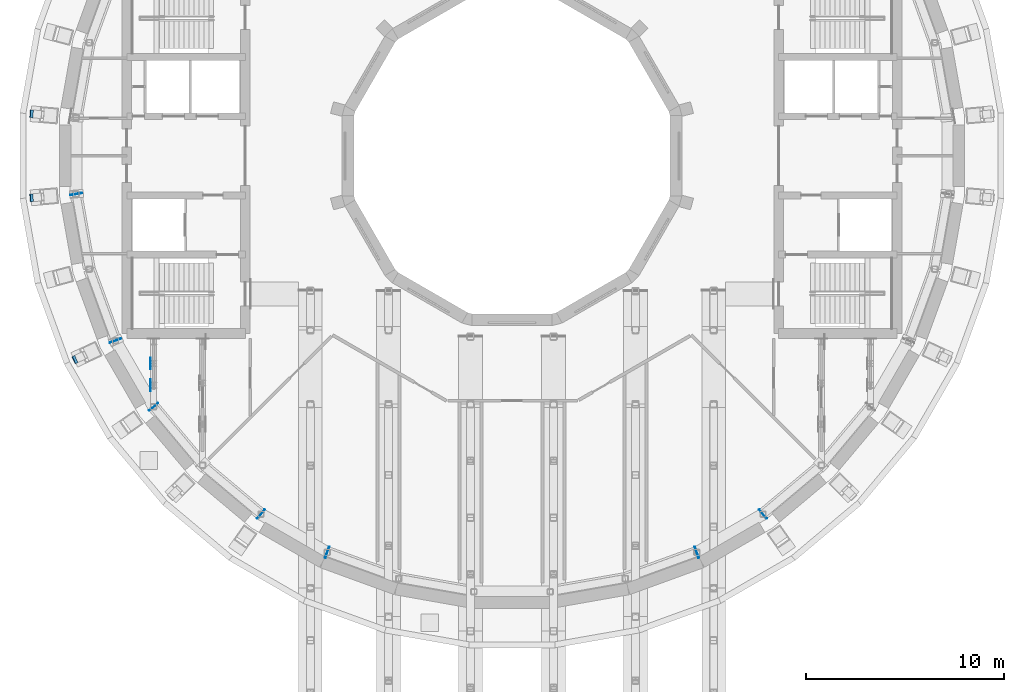
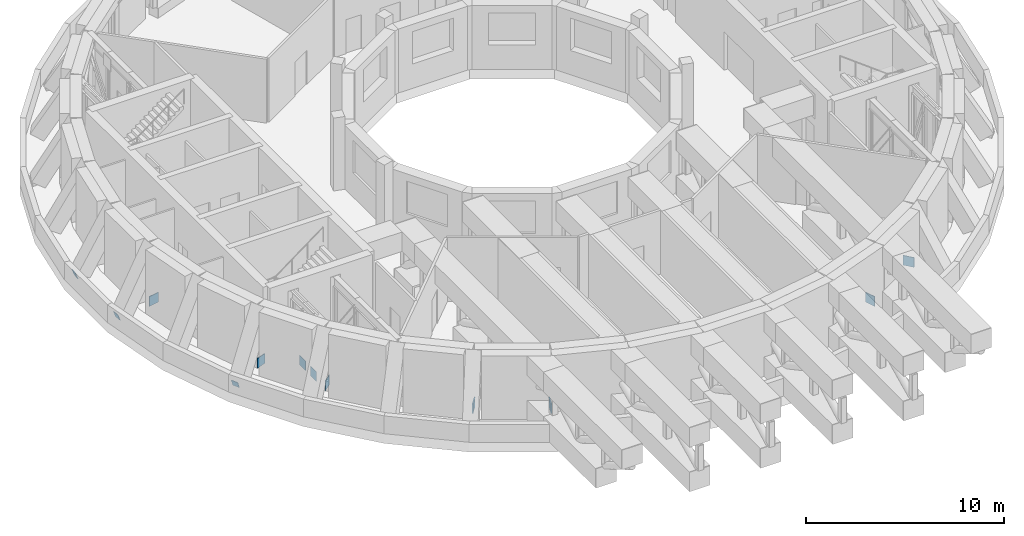
# One storey, part 17 of 20: 12 discrete accessories.
"""IFC4 building model written with IfcOpenShell, lengths in metres."""

import ifcopenshell
import ifcopenshell.guid

model = None  # the IFC model being written
_history = None  # IfcOwnerHistory: only IFC2X3 demands one
_inside = {}  # id of a spatial element -> (the spatial element, [elements in it])
_under = {}  # id of a project, library or spatial element -> (it, [spatial elements below it])
_declared = {}  # id of a project -> (the project, [libraries it declares])
_typed = {}  # id of a type object -> (the type object, [elements of that type])
_made_of = {}  # id of a material, layer set ... -> (it, [elements and type objects made of it])


def new_model(schema):
    """Start an empty IFC model of exactly this schema.

    Asked for "IFC4X3", IfcOpenShell would pick the latest addendum, in which some entities
    have other attributes; the version numbers below select the first issue.
    IFC2X3 requires an IfcOwnerHistory on every rooted entity: one is made here for all.
    """
    global model, _history
    if schema == "IFC4X3":
        model = ifcopenshell.file(schema_version=(4, 3, 0, 0))
    else:
        model = ifcopenshell.file(schema=schema)
    _inside.clear()
    _under.clear()
    _declared.clear()
    _typed.clear()
    _made_of.clear()
    _history = None
    if model.schema == "IFC2X3":
        org = make("IfcOrganization", Name="unknown")
        user = make(
            "IfcPersonAndOrganization",
            ThePerson=make("IfcPerson", FamilyName="unknown"),
            TheOrganization=org,
        )
        app = make(
            "IfcApplication",
            ApplicationDeveloper=org,
            Version="unknown",
            ApplicationFullName="unknown",
            ApplicationIdentifier="unknown",
        )
        _history = make(
            "IfcOwnerHistory",
            OwningUser=user,
            OwningApplication=app,
            ChangeAction="ADDED",
            CreationDate=0,
        )
    return model


def make(cls, **values):
    """One entity of the class cls with the attributes given. An attribute that is None is left unset."""
    return model.create_entity(
        cls, **{name: value for name, value in values.items() if value is not None}
    )


def rooted(cls, **values):
    """An entity with a GlobalId (a new one), such as an element, a storey or a relation."""
    return make(cls, GlobalId=ifcopenshell.guid.new(), OwnerHistory=_history, **values)


def si_unit(unit_type, name, prefix=None):
    """IfcSIUnit, for example si_unit("LENGTHUNIT", "METRE", prefix="MILLI")."""
    return make("IfcSIUnit", UnitType=unit_type, Prefix=prefix, Name=name)


def assignment(units):
    """IfcUnitAssignment: the units of a project."""
    return None if units is None else make("IfcUnitAssignment", Units=units)


def point(xyz):
    """IfcCartesianPoint."""
    return None if xyz is None else make("IfcCartesianPoint", Coordinates=xyz)


def direction(xyz):
    """IfcDirection."""
    return None if xyz is None else make("IfcDirection", DirectionRatios=xyz)


def frame(location, z_axis=None, x_axis=None):
    """IfcAxis2Placement3D, a coordinate frame: its origin and axes. An axis left out is left unset."""
    return make(
        "IfcAxis2Placement3D",
        Location=point(location),
        Axis=direction(z_axis),
        RefDirection=direction(x_axis),
    )


def frame_2d(location, x_axis=None):
    """IfcAxis2Placement2D, a coordinate frame in the plane: its origin and x axis."""
    return make(
        "IfcAxis2Placement2D", Location=point(location), RefDirection=direction(x_axis)
    )


def origin():
    """The frame at (0, 0, 0) with its axes left unset."""
    return frame((0.0, 0.0, 0.0))


def origin_2d():
    """The frame at (0, 0) in the plane with its x axis left unset."""
    return frame_2d((0.0, 0.0))


def place(relative_to, where):
    """IfcLocalPlacement: puts the frame where relative to a parent placement (None: the world)."""
    return make(
        "IfcLocalPlacement", PlacementRelTo=relative_to, RelativePlacement=where
    )


def context(
    kind, dimensions, precision=None, world=None, true_north=None, identifier=None
):
    """IfcGeometricRepresentationContext, for example the 3D "Model" context."""
    return make(
        "IfcGeometricRepresentationContext",
        ContextIdentifier=identifier,
        ContextType=kind,
        CoordinateSpaceDimension=dimensions,
        Precision=precision,
        WorldCoordinateSystem=world,
        TrueNorth=true_north,
    )


def subcontext(parent, identifier, kind, view, scale=None):
    """IfcGeometricRepresentationSubContext, for example "Body" below "Model"."""
    return make(
        "IfcGeometricRepresentationSubContext",
        ContextIdentifier=identifier,
        ContextType=kind,
        ParentContext=parent,
        TargetScale=scale,
        TargetView=view,
    )


def project(units=None, contexts=None):
    """IfcProject with its units and contexts."""
    return rooted(
        "IfcProject",
        Name="project",
        RepresentationContexts=contexts,
        UnitsInContext=assignment(units),
    )


def spatial(cls, under=None, at=None, **own):
    """A site, building, storey or space (cls), placed at a placement, below another one or the project."""
    s = rooted(cls, ObjectPlacement=at, **own)
    if under is not None:
        _under.setdefault(under.id(), (under, []))[1].append(s)
    return s


def profile(cls, at=None, kind="AREA", **sizes):
    """A parametric profile (cls). Its sizes go by their IFC names, for example OverallWidth=200.0."""
    return make(cls, ProfileType=kind, Position=at, **sizes)


def rectangle(**sizes):
    """IfcRectangleProfileDef."""
    return profile("IfcRectangleProfileDef", **sizes)


def extrude(swept, where, along, depth):
    """IfcExtrudedAreaSolid: the profile swept, set in the frame where, extruded along a direction by depth."""
    return make(
        "IfcExtrudedAreaSolid",
        SweptArea=swept,
        Position=where,
        ExtrudedDirection=direction(along),
        Depth=depth,
    )


def shape(context_of_items, identifier, shape_type, items):
    """IfcShapeRepresentation: the items that make up one representation, for example the "Body"."""
    return make(
        "IfcShapeRepresentation",
        ContextOfItems=context_of_items,
        RepresentationIdentifier=identifier,
        RepresentationType=shape_type,
        Items=items,
    )


def material(Name=None, Category=None):
    """IfcMaterial."""
    return make("IfcMaterial", Name=Name, Category=Category)


def material_profile(
    of_material, cross_section, Name=None, Category=None, Priority=None
):
    """IfcMaterialProfile: a cross section and its material."""
    return make(
        "IfcMaterialProfile",
        Name=Name,
        Material=of_material,
        Profile=cross_section,
        Priority=Priority,
        Category=Category,
    )


def profile_set(profiles, Name=None, composite=None):
    """IfcMaterialProfileSet."""
    return make(
        "IfcMaterialProfileSet",
        Name=Name,
        MaterialProfiles=profiles,
        CompositeProfile=composite,
    )


def made_of(thing, what):
    """Note that an element or type object is made of a material, layer set ...; save() writes the relation."""
    if what is not None:
        _made_of.setdefault(what.id(), (what, []))[1].append(thing)
    return thing


def type_object(cls, material=None, **own):
    """A type object (cls), such as IfcWallType, which elements share."""
    return made_of(rooted(cls, **own), material)


def element(
    cls,
    number,
    at=None,
    inside=None,
    cuts=None,
    type_object=None,
    material=None,
    context=None,
    identifier="Body",
    shape_type=None,
    held_by="IfcProductDefinitionShape",
    body=None,
    shapes=None,
    **own,
):
    """One element of the class cls, such as IfcWall. Its Tag is "e" and its number.

    at: its placement. inside: the storey or other place that contains it. cuts: it is an
    opening in that element (IfcRelVoidsElement). A single representation is given by context,
    identifier, shape_type and body (its items); several are given by shapes. held_by: the class
    of the entity that holds the representations. save() writes the other relations.
    """
    e = rooted(cls, Tag="e%d" % number, ObjectPlacement=at, **own)
    if body is not None:
        shapes = [shape(context, identifier, shape_type, body)]
    if shapes is not None:
        e.Representation = make(held_by, Representations=shapes)
    if inside is not None:
        _inside.setdefault(inside.id(), (inside, []))[1].append(e)
    if cuts is not None:
        rooted(
            "IfcRelVoidsElement", RelatingBuildingElement=cuts, RelatedOpeningElement=e
        )
    if type_object is not None:
        _typed.setdefault(type_object.id(), (type_object, []))[1].append(e)
    return made_of(e, material)


def aggregate(whole, parts):
    """IfcRelAggregates: a whole, such as a stair, and the parts it consists of."""
    return rooted("IfcRelAggregates", RelatingObject=whole, RelatedObjects=parts)


def save(model, path):
    """Write the relations noted so far, then the file.

    IfcRelAggregates (storeys below a building ...), IfcRelContainedInSpatialStructure (elements
    in a storey), IfcRelDefinesByType, IfcRelAssociatesMaterial and IfcRelDeclares: one each for
    every whole, place, type object, material and project.
    """
    for whole, parts in _under.values():
        aggregate(whole, parts)
    for where, things in _inside.values():
        rooted(
            "IfcRelContainedInSpatialStructure",
            RelatedElements=things,
            RelatingStructure=where,
        )
    for kind, things in _typed.values():
        rooted("IfcRelDefinesByType", RelatedObjects=things, RelatingType=kind)
    for what, things in _made_of.values():
        rooted("IfcRelAssociatesMaterial", RelatedObjects=things, RelatingMaterial=what)
    for by, libraries in _declared.values():
        rooted("IfcRelDeclares", RelatingContext=by, RelatedDefinitions=libraries)
    model.write(path)


model = new_model("IFC4")

# Units and contexts
model_context = context("Model", 3, precision=1e-05, world=origin(), true_north=direction((0.0, 1.0)))
body_context = subcontext(model_context, "Body", "Model", "MODEL_VIEW")
ifc_project = project(units=[si_unit("LENGTHUNIT", "METRE"), si_unit("AREAUNIT", "SQUARE_METRE"), si_unit("VOLUMEUNIT", "CUBIC_METRE"), si_unit("PLANEANGLEUNIT", "RADIAN"), si_unit("MASSUNIT", "GRAM", prefix="KILO")], contexts=[model_context])

# Site, building, storey
site_placement = place(None, origin())
site = spatial("IfcSite", under=ifc_project, at=site_placement, CompositionType="ELEMENT")
building_placement = place(site_placement, origin())
building = spatial("IfcBuilding", under=site, at=building_placement, Name="Saqina Gate Tower", CompositionType="ELEMENT")
storey_placement = place(building_placement, frame((0.0, 0.0, 220.199951171875)))
storey = spatial("IfcBuildingStorey", under=building, at=storey_placement, Name="L63", CompositionType="ELEMENT", Elevation=220.199951171875)

# Discrete accessories
ifc_material_1 = material(Name="Steel S460", Category="steel")
ifc_material_profile_1 = material_profile(ifc_material_1, rectangle(XDim=0.39990234375, YDim=0.39990234375, at=origin_2d()), Name="STR-END PLATE-BOX 400x400x30")
ifc_profile_set_1 = profile_set([ifc_material_profile_1], Name="Steel S460")
discrete_accessory_type_1 = type_object("IfcDiscreteAccessoryType", Name="STR-END PLATE-BOX 400x400x30", PredefinedType="USERDEFINED", material=ifc_profile_set_1)
for number, where, z_axis, x_axis, name in (
    (1, (-24.30712890625, 2.126708984375, 0.1884765625), (-0.938783330173, 0.081633333059, -0.33469666554), (0.086629610545, 0.996240588702, 1.6447e-08), "END PLATE NODE TIE BEAM L63 18 FOOT START"),
    (2, (-24.30712890625, -2.126708984375, 0.1884765625), (-0.938783330173, -0.081633333059, -0.33469666554), (-0.086629610545, 0.996240588702, -1.6447e-08), "END PLATE NODE TIE BEAM L63 19 FOOT START"),
    (3, (-22.114013671875, -10.311767578125, 0.1884765625), (-0.852058384385, -0.401450584951, -0.335907632306), (-0.426216137466, 0.904621359555, 7.72641e-07), "END PLATE NODE TIE BEAM L63 21 FOOT START"),
):
    element("IfcDiscreteAccessory", number, at=place(storey_placement, frame(where, z_axis=z_axis, x_axis=x_axis)), inside=storey, type_object=discrete_accessory_type_1, Name=name, ObjectType="END PLATE", PredefinedType="USERDEFINED", context=body_context, shape_type="SweptSolid", body=[
        extrude(rectangle(XDim=0.39990234375, YDim=0.39990234375, at=origin_2d()), origin(), (0.0, 0.0, 1.0), 0.02978515625),
    ])
ifc_material_2 = material(Name="Steel S460", Category="steel")
ifc_material_profile_2 = material_profile(ifc_material_2, rectangle(XDim=0.60009765625, YDim=0.60009765625, at=origin_2d()), Name="STR-END PLATE-BOX 600x600x40")
ifc_profile_set_2 = profile_set([ifc_material_profile_2], Name="Steel S460")
discrete_accessory_type_2 = type_object("IfcDiscreteAccessoryType", Name="STR-END PLATE-BOX 600x600x40", PredefinedType="USERDEFINED", material=ifc_profile_set_2)
for number, where, z_axis, x_axis, name in (
    (4, (-22.06103515625, -1.956298828125, 0.300048828125), (-0.177271416395, 0.984162001364, 0.0), (0.984162001364, 0.177271416395, 0.0), "END PLATE BELT TRUSS L63 CHORD 043 START"),
    (5, (-20.083740234375, -9.33642578125, 0.300048828125), (0.341743063087, -0.939793423488, 0.0), (0.939793423488, 0.341743063087, 0.0), "END PLATE BELT TRUSS L63 CHORD 046 END"),
    (6, (-18.12744140625, -12.724853515625, 0.300048828125), (-0.640184399664, 0.768221279597, 0.0), (0.768221279597, 0.640184399664, 0.0), "END PLATE BELT TRUSS L63 CHORD 050 START"),
    (7, (-12.724853515625, -18.12744140625, 0.300048828125), (0.768221279597, -0.640184399664, 0.0), (0.640184399664, 0.768221279597, 0.0), "END PLATE BELT TRUSS L63 CHORD 053 END"),
    (8, (-9.33642578125, -20.083740234375, 0.300048828125), (-0.939793423488, 0.341743063087, 0.0), (0.341743063087, 0.939793423488, 0.0), "END PLATE BELT TRUSS L63 CHORD 057 START"),
    (9, (9.33642578125, -20.083740234375, 0.300048828125), (0.939793423488, 0.341743063087, 0.0), (-0.341743063087, 0.939793423488, 0.0), "END PLATE BELT TRUSS L63 CHORD 067 END"),
    (10, (12.724853515625, -18.12744140625, 0.300048828125), (-0.768221279597, -0.640184399664, 0.0), (-0.640184399664, 0.768221279597, 0.0), "END PLATE BELT TRUSS L63 CHORD 071 START"),
):
    element("IfcDiscreteAccessory", number, at=place(storey_placement, frame(where, z_axis=z_axis, x_axis=x_axis)), inside=storey, type_object=discrete_accessory_type_2, Name=name, ObjectType="END PLATE", PredefinedType="USERDEFINED", context=body_context, shape_type="SweptSolid", body=[
        extrude(rectangle(XDim=0.60009765625, YDim=0.60009765625, at=origin_2d()), origin(), (0.0, 0.0, 1.0), 0.0400390625),
    ])
ifc_material_3 = material(Name="Steel S460", Category="steel")
ifc_material_profile_3 = material_profile(ifc_material_3, rectangle(XDim=0.60009765625, YDim=0.60009765625, at=origin_2d()), Name="STR-END PLATE-GUSSET 600x600x20")
ifc_profile_set_3 = profile_set([ifc_material_profile_3], Name="Steel S460")
discrete_accessory_type_3 = type_object("IfcDiscreteAccessoryType", Name="STR-END PLATE-GUSSET 600x600x20", PredefinedType="USERDEFINED", material=ifc_profile_set_3)
for number, where, z_axis, x_axis, name in (
    (11, (-18.294189453125, -10.513671875, 0.25), (-1.0, 0.0, 0.0), (0.0, -1.0, 0.0), "GUSSET PLATE OUTRIGGER TRUSS L63 CHORD 150"),
    (12, (-18.294189453125, -11.609130859375, 0.25), (-1.0, 0.0, 0.0), (0.0, -1.0, 0.0), "GUSSET PLATE OUTRIGGER TRUSS L63 CHORD 154"),
):
    element("IfcDiscreteAccessory", number, at=place(storey_placement, frame(where, z_axis=z_axis, x_axis=x_axis)), inside=storey, type_object=discrete_accessory_type_3, Name=name, ObjectType="GUSSET PLATE", PredefinedType="USERDEFINED", context=body_context, shape_type="SweptSolid", body=[
        extrude(rectangle(XDim=0.60009765625, YDim=0.60009765625, at=origin_2d()), origin(), (0.0, 0.0, 1.0), 0.02001953125),
    ])

save(model, "model.ifc")
